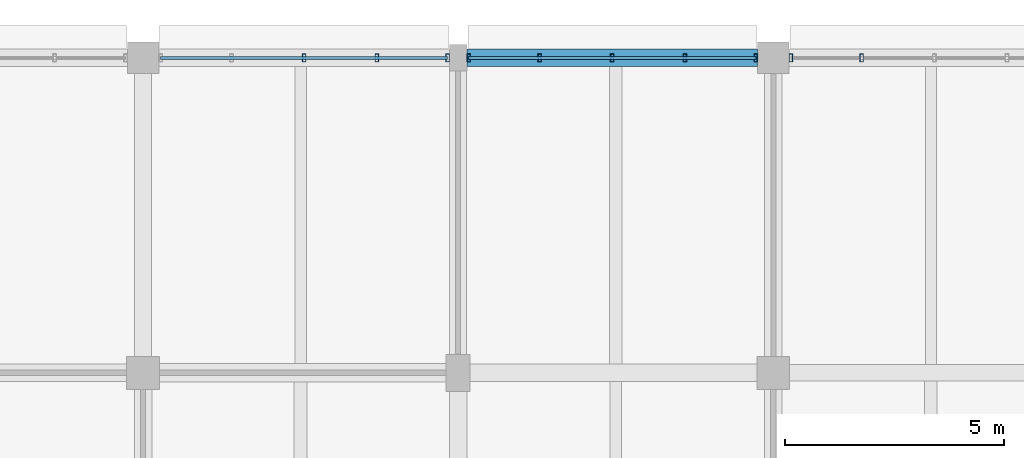
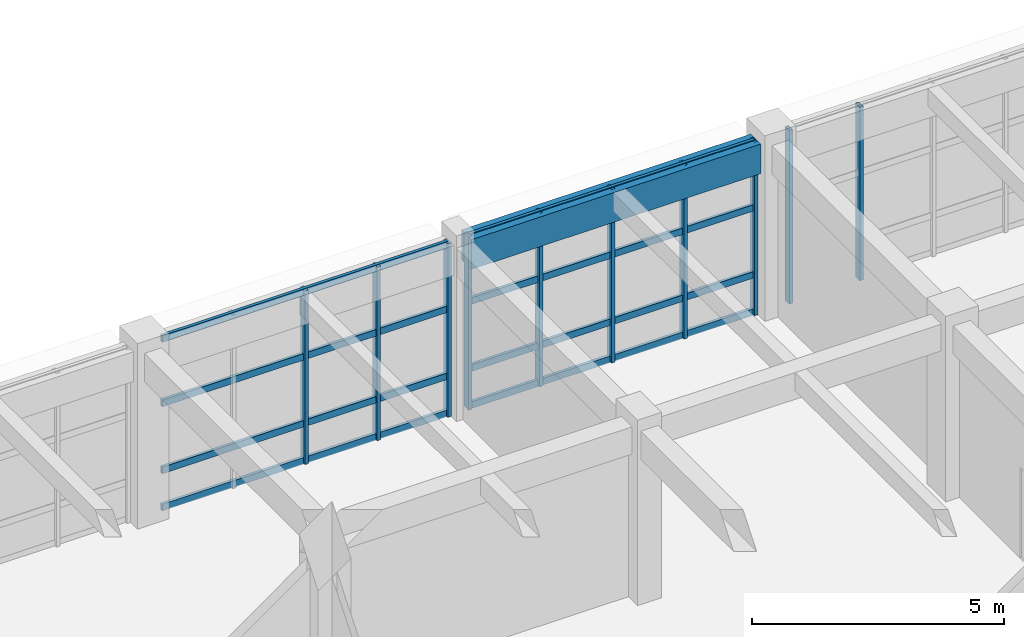
# One storey, part 85 of 171: 18 members, 1 beam, 3 elements without a shape of their own.
"""IFC4 building model written with IfcOpenShell, lengths in metres."""

from ifc_helpers import new_model, si_unit, direction, frame, origin, origin_2d, place, context, subcontext, project, spatial, rectangle, hollow_rectangle, extrude, material, material_profile, profile_set, type_object, element, aggregate, save


model = new_model("IFC4")

# Units and contexts
model_context = context("Model", 3, precision=1e-05, world=origin(), true_north=direction((0.0, 1.0)))
body_context = subcontext(model_context, "Body", "Model", "MODEL_VIEW")
ifc_project = project(units=[si_unit("LENGTHUNIT", "METRE"), si_unit("AREAUNIT", "SQUARE_METRE"), si_unit("VOLUMEUNIT", "CUBIC_METRE"), si_unit("PLANEANGLEUNIT", "RADIAN"), si_unit("MASSUNIT", "GRAM", prefix="KILO")], contexts=[model_context])

# Site, building, storey
site_placement = place(None, origin())
site = spatial("IfcSite", under=ifc_project, at=site_placement, CompositionType="ELEMENT")
building_placement = place(site_placement, origin())
building = spatial("IfcBuilding", under=site, at=building_placement, Name="Thalmaran Polytechnic", CompositionType="ELEMENT")
storey_placement = place(building_placement, frame((0.0, 0.0, 5.39990234375)))
storey = spatial("IfcBuildingStorey", under=building, at=storey_placement, Name="L01", CompositionType="ELEMENT", Elevation=5.39990234375)

# Beam
ifc_material_1 = material(Name="Concrete C40/50", Category="concrete")
ifc_material_profile_1 = material_profile(ifc_material_1, rectangle(XDim=0.39990234375, YDim=0.719970703125, at=origin_2d()), Name="RC 400x720")
ifc_profile_set_1 = profile_set([ifc_material_profile_1], Name="Concrete C40/50")
beam_type = type_object("IfcBeamType", Name="BM-SP01", PredefinedType="SPANDREL", material=ifc_profile_set_1)
beam_placement = place(storey_placement, frame((115.39990234375, 122.39990234375, 3.85009765625), z_axis=(1.0, 0.0, 0.0), x_axis=(0.0, 1.0, 0.0)))
element("IfcBeam", 1, at=beam_placement, inside=storey, type_object=beam_type, Name="Grid Beam SP01 L01 X(16,17)", PredefinedType="SPANDREL", context=body_context, shape_type="SweptSolid", body=[
    extrude(rectangle(XDim=0.39990234375, YDim=0.719970703125, at=origin_2d()), origin(), (0.0, 0.0, 1.0), 6.64013671875),
])

# Curtain wall, members
ifc_material_2 = material(Name="Aluminium 6063-T6", Category="aluminium")
curtain_wall_type = type_object("IfcCurtainWallType", Name="CW-UC02", PredefinedType="USERDEFINED", material=ifc_material_2)
curtain_wall_1_placement = place(storey_placement, origin())
curtain_wall_1 = element("IfcCurtainWall", 2, at=curtain_wall_1_placement, inside=storey, type_object=curtain_wall_type, Name="Curtain Wall CW-L01-094", ObjectType="UNITISED CURTAIN WALL", PredefinedType="USERDEFINED")
ifc_material_profile_2 = material_profile(ifc_material_2, hollow_rectangle(XDim=0.080078125, YDim=0.179931640625, WallThickness=0.0048828125, at=origin_2d()), Name="RHS 180x80x5.0")
ifc_profile_set_2 = profile_set([ifc_material_profile_2], Name="Aluminium 6063-T6")
member_type_1 = type_object("IfcMemberType", Name="CW-MUL1", PredefinedType="MULLION", material=ifc_profile_set_2)
member_1_placement = place(storey_placement, frame((111.679931640625, 122.39990234375, 0.0), z_axis=(0.0, 0.0, 1.0), x_axis=(1.0, 0.0, 0.0)))
member_1 = element("IfcMember", 3, at=member_1_placement, type_object=member_type_1, Name="CW-L01-094 Mullion 3", PredefinedType="MULLION", context=body_context, shape_type="SweptSolid", body=[
    extrude(hollow_rectangle(XDim=0.080078125, YDim=0.179931640625, WallThickness=0.0048828125, at=origin_2d()), origin(), (0.0, 0.0, 1.0), 4.210205078125),
])
member_2_placement = place(storey_placement, frame((113.340087890625, 122.39990234375, 0.0), z_axis=(0.0, 0.0, 1.0), x_axis=(1.0, 0.0, 0.0)))
member_2 = element("IfcMember", 4, at=member_2_placement, type_object=member_type_1, Name="CW-L01-094 Mullion 4", PredefinedType="MULLION", context=body_context, shape_type="SweptSolid", body=[
    extrude(hollow_rectangle(XDim=0.080078125, YDim=0.179931640625, WallThickness=0.0048828125, at=origin_2d()), origin(), (0.0, 0.0, 1.0), 4.210205078125),
])
member_3_placement = place(storey_placement, frame((114.9599609375, 122.39990234375, 0.0), z_axis=(0.0, 0.0, 1.0), x_axis=(1.0, 0.0, 0.0)))
member_3 = element("IfcMember", 5, at=member_3_placement, type_object=member_type_1, Name="CW-L01-094 Mullion 5", PredefinedType="MULLION", context=body_context, shape_type="SweptSolid", body=[
    extrude(hollow_rectangle(XDim=0.080078125, YDim=0.179931640625, WallThickness=0.0048828125, at=origin_2d()), origin(), (0.0, 0.0, 1.0), 4.210205078125),
])

curtain_wall_2_placement = place(storey_placement, origin())
curtain_wall_2 = element("IfcCurtainWall", 6, at=curtain_wall_2_placement, inside=storey, type_object=curtain_wall_type, Name="Curtain Wall CW-L01-095", ObjectType="UNITISED CURTAIN WALL", PredefinedType="USERDEFINED")
member_4_placement = place(storey_placement, frame((115.43994140625, 122.39990234375, 0.0), z_axis=(0.0, 0.0, 1.0), x_axis=(1.0, 0.0, 0.0)))
member_4 = element("IfcMember", 7, at=member_4_placement, type_object=member_type_1, Name="CW-L01-095 Mullion 1", PredefinedType="MULLION", context=body_context, shape_type="SweptSolid", body=[
    extrude(hollow_rectangle(XDim=0.080078125, YDim=0.179931640625, WallThickness=0.0048828125, at=origin_2d()), origin(), (0.0, 0.0, 1.0), 4.210205078125),
])
member_5_placement = place(storey_placement, frame((117.06005859375, 122.39990234375, 0.0), z_axis=(0.0, 0.0, 1.0), x_axis=(1.0, 0.0, 0.0)))
member_5 = element("IfcMember", 8, at=member_5_placement, type_object=member_type_1, Name="CW-L01-095 Mullion 2", PredefinedType="MULLION", context=body_context, shape_type="SweptSolid", body=[
    extrude(hollow_rectangle(XDim=0.080078125, YDim=0.179931640625, WallThickness=0.0048828125, at=origin_2d()), origin(), (0.0, 0.0, 1.0), 4.210205078125),
])
member_6_placement = place(storey_placement, frame((118.719970703125, 122.39990234375, 0.0), z_axis=(0.0, 0.0, 1.0), x_axis=(1.0, 0.0, 0.0)))
member_6 = element("IfcMember", 9, at=member_6_placement, type_object=member_type_1, Name="CW-L01-095 Mullion 3", PredefinedType="MULLION", context=body_context, shape_type="SweptSolid", body=[
    extrude(hollow_rectangle(XDim=0.080078125, YDim=0.179931640625, WallThickness=0.0048828125, at=origin_2d()), origin(), (0.0, 0.0, 1.0), 4.210205078125),
])
member_7_placement = place(storey_placement, frame((120.3798828125, 122.39990234375, 0.0), z_axis=(0.0, 0.0, 1.0), x_axis=(1.0, 0.0, 0.0)))
member_7 = element("IfcMember", 10, at=member_7_placement, type_object=member_type_1, Name="CW-L01-095 Mullion 4", PredefinedType="MULLION", context=body_context, shape_type="SweptSolid", body=[
    extrude(hollow_rectangle(XDim=0.080078125, YDim=0.179931640625, WallThickness=0.0048828125, at=origin_2d()), origin(), (0.0, 0.0, 1.0), 4.210205078125),
])
member_8_placement = place(storey_placement, frame((122.0, 122.39990234375, 0.0), z_axis=(0.0, 0.0, 1.0), x_axis=(1.0, 0.0, 0.0)))
member_8 = element("IfcMember", 11, at=member_8_placement, type_object=member_type_1, Name="CW-L01-095 Mullion 5", PredefinedType="MULLION", context=body_context, shape_type="SweptSolid", body=[
    extrude(hollow_rectangle(XDim=0.080078125, YDim=0.179931640625, WallThickness=0.0048828125, at=origin_2d()), origin(), (0.0, 0.0, 1.0), 4.210205078125),
])

curtain_wall_3_placement = place(storey_placement, origin())
curtain_wall_3 = element("IfcCurtainWall", 12, at=curtain_wall_3_placement, inside=storey, type_object=curtain_wall_type, Name="Curtain Wall CW-L01-096", ObjectType="UNITISED CURTAIN WALL", PredefinedType="USERDEFINED")
member_9_placement = place(storey_placement, frame((122.800048828125, 122.39990234375, 0.0), z_axis=(0.0, 0.0, 1.0), x_axis=(1.0, 0.0, 0.0)))
member_9 = element("IfcMember", 13, at=member_9_placement, type_object=member_type_1, Name="CW-L01-096 Mullion 1", PredefinedType="MULLION", context=body_context, shape_type="SweptSolid", body=[
    extrude(hollow_rectangle(XDim=0.080078125, YDim=0.179931640625, WallThickness=0.0048828125, at=origin_2d()), origin(), (0.0, 0.0, 1.0), 4.210205078125),
])
member_10_placement = place(storey_placement, frame((124.419921875, 122.39990234375, 0.0), z_axis=(0.0, 0.0, 1.0), x_axis=(1.0, 0.0, 0.0)))
member_10 = element("IfcMember", 14, at=member_10_placement, type_object=member_type_1, Name="CW-L01-096 Mullion 2", PredefinedType="MULLION", context=body_context, shape_type="SweptSolid", body=[
    extrude(hollow_rectangle(XDim=0.080078125, YDim=0.179931640625, WallThickness=0.0048828125, at=origin_2d()), origin(), (0.0, 0.0, 1.0), 4.210205078125),
])
aggregate(curtain_wall_3, [member_9, member_10])

# Member
ifc_material_profile_3 = material_profile(ifc_material_2, hollow_rectangle(XDim=0.070068359375, YDim=0.159912109375, WallThickness=0.00390625, at=origin_2d()), Name="AL 160x70x4.0")
ifc_profile_set_3 = profile_set([ifc_material_profile_3], Name="Aluminium 6063-T6")
member_type_2 = type_object("IfcMemberType", Name="CW-TRN1", PredefinedType="USERDEFINED", material=ifc_profile_set_3)
member_11_placement = place(storey_placement, frame((108.39990234375, 122.39990234375, 0.06005859375), z_axis=(1.0, 0.0, 0.0), x_axis=(0.0, 1.0, 0.0)))
member_11 = element("IfcMember", 15, at=member_11_placement, type_object=member_type_2, Name="CW-L01-094 Transom 1", ObjectType="TRANSOM", PredefinedType="USERDEFINED", context=body_context, shape_type="SweptSolid", body=[
    extrude(hollow_rectangle(XDim=0.070068359375, YDim=0.159912109375, WallThickness=0.00390625, at=origin_2d()), origin(), (0.0, 0.0, 1.0), 6.56005859375),
])

member_12_placement = place(storey_placement, frame((108.39990234375, 122.39990234375, 0.960205078125), z_axis=(1.0, 0.0, 0.0), x_axis=(0.0, 1.0, 0.0)))
member_12 = element("IfcMember", 16, at=member_12_placement, type_object=member_type_2, Name="CW-L01-094 Transom 2", ObjectType="TRANSOM", PredefinedType="USERDEFINED", context=body_context, shape_type="SweptSolid", body=[
    extrude(hollow_rectangle(XDim=0.070068359375, YDim=0.159912109375, WallThickness=0.00390625, at=origin_2d()), origin(), (0.0, 0.0, 1.0), 6.56005859375),
])

member_13_placement = place(storey_placement, frame((108.39990234375, 122.39990234375, 2.585205078125), z_axis=(1.0, 0.0, 0.0), x_axis=(0.0, 1.0, 0.0)))
member_13 = element("IfcMember", 17, at=member_13_placement, type_object=member_type_2, Name="CW-L01-094 Transom 3", ObjectType="TRANSOM", PredefinedType="USERDEFINED", context=body_context, shape_type="SweptSolid", body=[
    extrude(hollow_rectangle(XDim=0.070068359375, YDim=0.159912109375, WallThickness=0.00390625, at=origin_2d()), origin(), (0.0, 0.0, 1.0), 6.56005859375),
])

member_14_placement = place(storey_placement, frame((108.39990234375, 122.39990234375, 4.150146484375), z_axis=(1.0, 0.0, 0.0), x_axis=(0.0, 1.0, 0.0)))
member_14 = element("IfcMember", 18, at=member_14_placement, type_object=member_type_2, Name="CW-L01-094 Transom 4", ObjectType="TRANSOM", PredefinedType="USERDEFINED", context=body_context, shape_type="SweptSolid", body=[
    extrude(hollow_rectangle(XDim=0.070068359375, YDim=0.159912109375, WallThickness=0.00390625, at=origin_2d()), origin(), (0.0, 0.0, 1.0), 6.56005859375),
])

aggregate(curtain_wall_1, [member_1, member_2, member_3, member_11, member_12, member_13, member_14])

member_15_placement = place(storey_placement, frame((115.43994140625, 122.39990234375, 0.06005859375), z_axis=(1.0, 0.0, 0.0), x_axis=(0.0, 1.0, 0.0)))
member_15 = element("IfcMember", 19, at=member_15_placement, type_object=member_type_2, Name="CW-L01-095 Transom 1", ObjectType="TRANSOM", PredefinedType="USERDEFINED", context=body_context, shape_type="SweptSolid", body=[
    extrude(hollow_rectangle(XDim=0.070068359375, YDim=0.159912109375, WallThickness=0.00390625, at=origin_2d()), origin(), (0.0, 0.0, 1.0), 6.56005859375),
])

member_16_placement = place(storey_placement, frame((115.43994140625, 122.39990234375, 0.960205078125), z_axis=(1.0, 0.0, 0.0), x_axis=(0.0, 1.0, 0.0)))
member_16 = element("IfcMember", 20, at=member_16_placement, type_object=member_type_2, Name="CW-L01-095 Transom 2", ObjectType="TRANSOM", PredefinedType="USERDEFINED", context=body_context, shape_type="SweptSolid", body=[
    extrude(hollow_rectangle(XDim=0.070068359375, YDim=0.159912109375, WallThickness=0.00390625, at=origin_2d()), origin(), (0.0, 0.0, 1.0), 6.56005859375),
])

member_17_placement = place(storey_placement, frame((115.43994140625, 122.39990234375, 2.585205078125), z_axis=(1.0, 0.0, 0.0), x_axis=(0.0, 1.0, 0.0)))
member_17 = element("IfcMember", 21, at=member_17_placement, type_object=member_type_2, Name="CW-L01-095 Transom 3", ObjectType="TRANSOM", PredefinedType="USERDEFINED", context=body_context, shape_type="SweptSolid", body=[
    extrude(hollow_rectangle(XDim=0.070068359375, YDim=0.159912109375, WallThickness=0.00390625, at=origin_2d()), origin(), (0.0, 0.0, 1.0), 6.56005859375),
])

member_18_placement = place(storey_placement, frame((115.43994140625, 122.39990234375, 4.150146484375), z_axis=(1.0, 0.0, 0.0), x_axis=(0.0, 1.0, 0.0)))
member_18 = element("IfcMember", 22, at=member_18_placement, type_object=member_type_2, Name="CW-L01-095 Transom 4", ObjectType="TRANSOM", PredefinedType="USERDEFINED", context=body_context, shape_type="SweptSolid", body=[
    extrude(hollow_rectangle(XDim=0.070068359375, YDim=0.159912109375, WallThickness=0.00390625, at=origin_2d()), origin(), (0.0, 0.0, 1.0), 6.56005859375),
])

aggregate(curtain_wall_2, [member_4, member_5, member_6, member_7, member_8, member_15, member_16, member_17, member_18])

save(model, "model.ifc")
